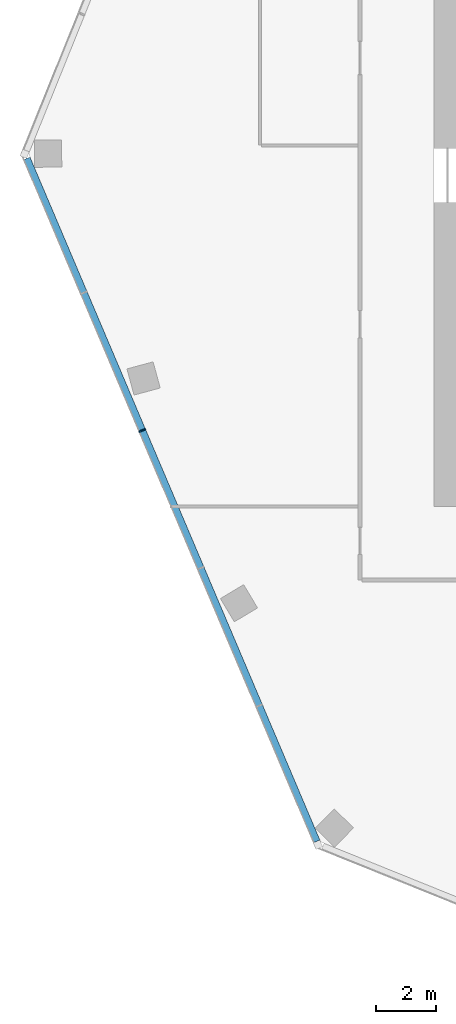
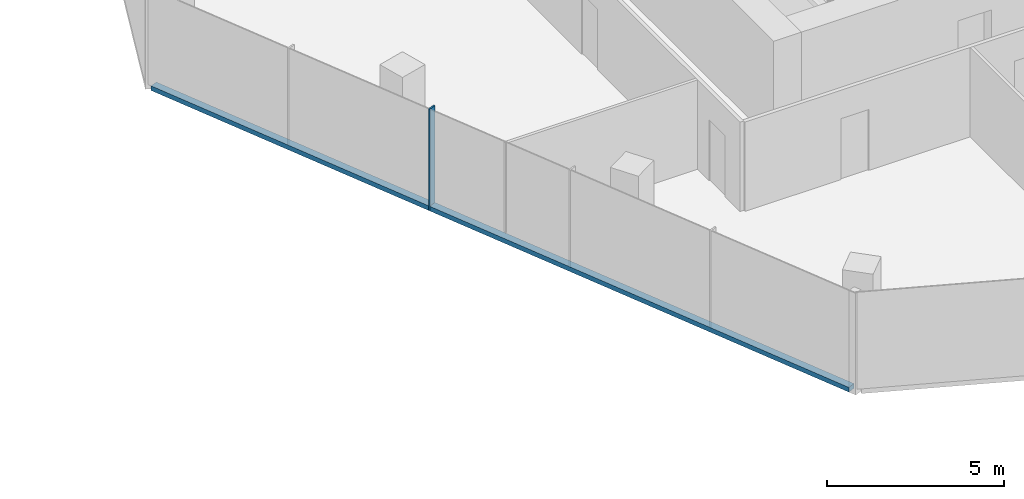
# One storey, part 3 of 16: 2 members, 1 element without a shape of its own.
"""IFC4 building model written with IfcOpenShell, lengths in metres."""

from ifc_helpers import new_model, si_unit, direction, frame, origin, origin_2d, place, context, subcontext, project, spatial, rectangle, extrude, material, material_profile, profile_set, type_object, element, aggregate, save


model = new_model("IFC4")

# Units and contexts
model_context = context("Model", 3, precision=1e-05, world=origin(), true_north=direction((0.0, 1.0)))
body_context = subcontext(model_context, "Body", "Model", "MODEL_VIEW")
ifc_project = project(units=[si_unit("LENGTHUNIT", "METRE"), si_unit("AREAUNIT", "SQUARE_METRE"), si_unit("VOLUMEUNIT", "CUBIC_METRE"), si_unit("PLANEANGLEUNIT", "RADIAN"), si_unit("MASSUNIT", "GRAM", prefix="KILO")], contexts=[model_context])

# Site, building, storey
site_placement = place(None, origin())
site = spatial("IfcSite", under=ifc_project, at=site_placement, CompositionType="ELEMENT")
building_placement = place(site_placement, origin())
building = spatial("IfcBuilding", under=site, at=building_placement, Name="Orlundy Tower", CompositionType="ELEMENT")
storey_placement = place(building_placement, frame((0.0, 0.0, 282.39990234375)))
storey = spatial("IfcBuildingStorey", under=building, at=storey_placement, Name="L75", CompositionType="ELEMENT", Elevation=282.39990234375)

# Curtain wall, members
ifc_material_1 = material(Name="Aluminium bronze anodised", Category="aluminium")
curtain_wall_type = type_object("IfcCurtainWallType", Name="CW6 wall", PredefinedType="NOTDEFINED", material=ifc_material_1)
curtain_wall_placement = place(storey_placement, origin())
curtain_wall = element("IfcCurtainWall", 1, at=curtain_wall_placement, inside=storey, type_object=curtain_wall_type, Name="CW6 run 014", PredefinedType="NOTDEFINED")
ifc_material_2 = material(Name="Aluminium bronze anodised", Category="aluminium")
ifc_material_profile_1 = material_profile(ifc_material_2, rectangle(XDim=0.239990234375, YDim=0.050048828125, at=origin_2d()), Name="CW6 mullion 50x240")
ifc_profile_set_1 = profile_set([ifc_material_profile_1], Name="Aluminium bronze anodised")
member_type_1 = type_object("IfcMemberType", Name="CW6 mullion 50x240", PredefinedType="MULLION", material=ifc_profile_set_1)
member_1_placement = place(storey_placement, frame((-28.697021484375, -9.481201171875, -0.39990234375), z_axis=(0.0, 0.0, 1.0), x_axis=(-0.920506804854, -0.390726531244, 0.0)))
member_1 = element("IfcMember", 2, at=member_1_placement, type_object=member_type_1, Name="CW6 mullion 25", PredefinedType="MULLION", context=body_context, shape_type="SweptSolid", body=[
    extrude(rectangle(XDim=0.239990234375, YDim=0.050048828125, at=origin_2d()), origin(), (0.0, 0.0, 1.0), 3.5),
])
ifc_material_3 = material(Name="Aluminium bronze anodised", Category="aluminium")
ifc_material_profile_2 = material_profile(ifc_material_3, rectangle(XDim=0.239990234375, YDim=0.159912109375, at=origin_2d()), Name="CW6 transom 240x160")
ifc_profile_set_2 = profile_set([ifc_material_profile_2], Name="Aluminium bronze anodised")
member_type_2 = type_object("IfcMemberType", Name="CW6 transom 240x160", PredefinedType="USERDEFINED", material=ifc_profile_set_2)
member_2_placement = place(storey_placement, frame((-22.89794921875, -23.14306640625, -0.31982421875), z_axis=(-0.390731856881, 0.920504544268, 0.0), x_axis=(-0.920504544268, -0.390731856881, 0.0)))
member_2 = element("IfcMember", 3, at=member_2_placement, type_object=member_type_2, Name="CW6 transom", ObjectType="TRANSOM", PredefinedType="USERDEFINED", context=body_context, shape_type="SweptSolid", body=[
    extrude(rectangle(XDim=0.239990234375, YDim=0.159912109375, at=origin_2d()), origin(), (0.0, 0.0, 1.0), 24.663330078125),
])
aggregate(curtain_wall, [member_1, member_2])

save(model, "model.ifc")
